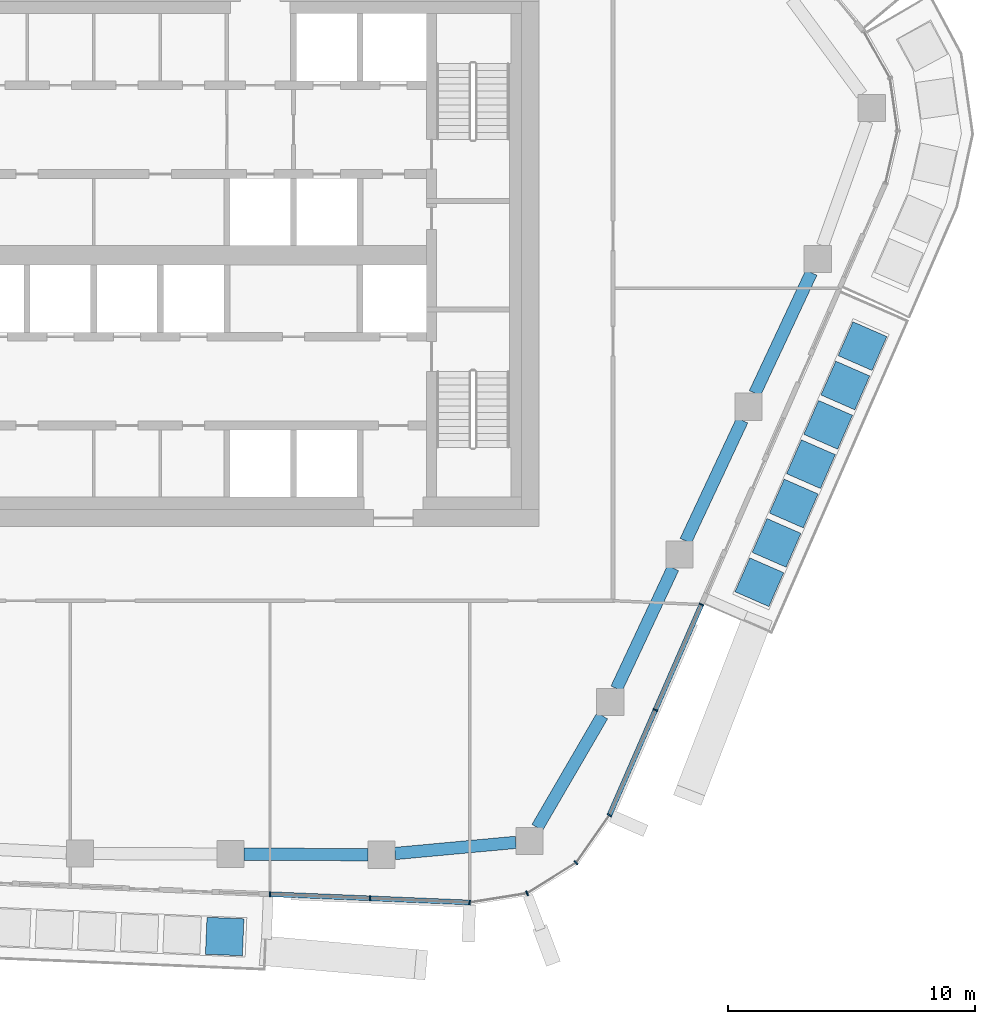
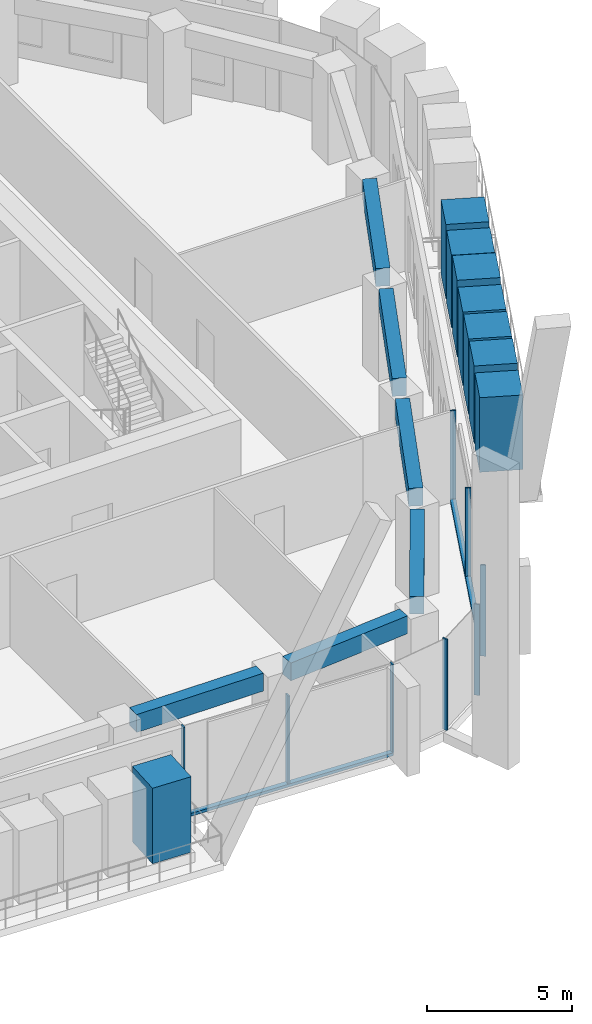
# One storey, part 4 of 20: 18 members, 6 beams, 3 elements without a shape of their own.
"""IFC4 building model written with IfcOpenShell, lengths in metres."""

from ifc_helpers import new_model, si_unit, direction, frame, origin, origin_2d, place, context, subcontext, project, spatial, rectangle, extrude, material, layer, layer_set, material_profile, profile_set, type_object, element, aggregate, save


model = new_model("IFC4")

# Units and contexts
model_context = context("Model", 3, precision=1e-05, world=origin(), true_north=direction((0.0, 1.0)))
body_context = subcontext(model_context, "Body", "Model", "MODEL_VIEW")
ifc_project = project(units=[si_unit("LENGTHUNIT", "METRE"), si_unit("AREAUNIT", "SQUARE_METRE"), si_unit("VOLUMEUNIT", "CUBIC_METRE"), si_unit("PLANEANGLEUNIT", "RADIAN"), si_unit("MASSUNIT", "GRAM", prefix="KILO")], contexts=[model_context])

# Site, building, storey
site_placement = place(None, origin())
site = spatial("IfcSite", under=ifc_project, at=site_placement, CompositionType="ELEMENT")
building_placement = place(site_placement, origin())
building = spatial("IfcBuilding", under=site, at=building_placement, Name="Dongbaek Canopy Tower", CompositionType="ELEMENT")
storey_placement = place(building_placement, frame((0.0, 0.0, 241.199951171875)))
storey = spatial("IfcBuildingStorey", under=building, at=storey_placement, Name="L50", CompositionType="ELEMENT", Elevation=241.199951171875)

# Curtain wall, members
ifc_material_1 = material(Name="Aluminium 6063-T6 pale anodised", Category="aluminium")
ifc_layer = layer(ifc_material_1, 0.199951171875)
ifc_layer_set = layer_set([ifc_layer], Name="CW-1 unitised tower curtain wall")
curtain_wall_type = type_object("IfcCurtainWallType", Name="CW-1 unitised tower curtain wall", PredefinedType="NOTDEFINED", material=ifc_layer_set)
curtain_wall_1_placement = place(storey_placement, origin())
curtain_wall_1 = element("IfcCurtainWall", 1, at=curtain_wall_1_placement, inside=storey, type_object=curtain_wall_type, Name="CW-1 curtain wall F4.1", PredefinedType="NOTDEFINED")
ifc_material_2 = material(Name="Aluminium 6063-T6 pale anodised", Category="aluminium")
ifc_material_profile_1 = material_profile(ifc_material_2, rectangle(XDim=0.199951171875, YDim=0.06005859375, at=origin_2d()), Name="CW-1 mullion 60 x 200")
ifc_profile_set_1 = profile_set([ifc_material_profile_1], Name="Aluminium 6063-T6 pale anodised")
member_type_1 = type_object("IfcMemberType", Name="CW-1 mullion 60 x 200", PredefinedType="MULLION", material=ifc_profile_set_1)
member_1_placement = place(storey_placement, frame((3.097900390625, -25.899169921875, 0.1201171875), z_axis=(0.0, 0.0, 1.0), x_axis=(-0.041481315027, -0.999139279832, 0.0)))
member_1 = element("IfcMember", 2, at=member_1_placement, type_object=member_type_1, Name="CW-1 mullion F4.1.1", PredefinedType="MULLION", context=body_context, shape_type="SweptSolid", body=[
    extrude(rectangle(XDim=0.199951171875, YDim=0.06005859375, at=origin_2d()), origin(), (0.0, 0.0, 1.0), 3.699951171875),
])
member_2_placement = place(storey_placement, frame((7.151123046875, -26.0673828125, 0.1201171875), z_axis=(0.0, 0.0, 1.0), x_axis=(-0.041481315027, -0.999139279832, 0.0)))
member_2 = element("IfcMember", 3, at=member_2_placement, type_object=member_type_1, Name="CW-1 mullion F4.1.2", PredefinedType="MULLION", context=body_context, shape_type="SweptSolid", body=[
    extrude(rectangle(XDim=0.199951171875, YDim=0.06005859375, at=origin_2d()), origin(), (0.0, 0.0, 1.0), 3.699951171875),
])
member_3_placement = place(storey_placement, frame((11.194091796875, -26.2353515625, 0.1201171875), z_axis=(0.0, 0.0, 1.0), x_axis=(-0.041481315027, -0.999139279832, 0.0)))
member_3 = element("IfcMember", 4, at=member_3_placement, type_object=member_type_1, Name="CW-1 mullion F4.1.3", PredefinedType="MULLION", context=body_context, shape_type="SweptSolid", body=[
    extrude(rectangle(XDim=0.199951171875, YDim=0.06005859375, at=origin_2d()), origin(), (0.0, 0.0, 1.0), 3.699951171875),
])

curtain_wall_2_placement = place(storey_placement, origin())
curtain_wall_2 = element("IfcCurtainWall", 5, at=curtain_wall_2_placement, inside=storey, type_object=curtain_wall_type, Name="CW-1 curtain wall K5.1", PredefinedType="NOTDEFINED")
member_4_placement = place(storey_placement, frame((13.51904296875, -25.863525390625, 0.0), z_axis=(0.0, 0.0, 1.0), x_axis=(0.351016909849, -0.936369120059, 0.0)))
member_4 = element("IfcMember", 6, at=member_4_placement, type_object=member_type_1, Name="CW-1 mullion K5.1.2", PredefinedType="MULLION", context=body_context, shape_type="SweptSolid", body=[
    extrude(rectangle(XDim=0.199951171875, YDim=0.06005859375, at=origin_2d()), origin(), (0.0, 0.0, 1.0), 3.820068359375),
])
member_5_placement = place(storey_placement, frame((15.507080078125, -24.62060546875, 0.0), z_axis=(0.0, 0.0, 1.0), x_axis=(0.688056235783, -0.72565736846, 0.0)))
member_5 = element("IfcMember", 7, at=member_5_placement, type_object=member_type_1, Name="CW-1 mullion K5.1.3", PredefinedType="MULLION", context=body_context, shape_type="SweptSolid", body=[
    extrude(rectangle(XDim=0.199951171875, YDim=0.06005859375, at=origin_2d()), origin(), (0.0, 0.0, 1.0), 3.820068359375),
])
member_6_placement = place(storey_placement, frame((16.859619140625, -22.693359375, 0.0), z_axis=(0.0, 0.0, 1.0), x_axis=(0.818549902753, -0.574435424311, 0.0)))
member_6 = element("IfcMember", 8, at=member_6_placement, type_object=member_type_1, Name="CW-1 mullion K5.1.4", PredefinedType="MULLION", context=body_context, shape_type="SweptSolid", body=[
    extrude(rectangle(XDim=0.199951171875, YDim=0.06005859375, at=origin_2d()), origin(), (0.0, 0.0, 1.0), 3.820068359375),
])
aggregate(curtain_wall_2, [member_4, member_5, member_6])

curtain_wall_3_placement = place(storey_placement, origin())
curtain_wall_3 = element("IfcCurtainWall", 9, at=curtain_wall_3_placement, inside=storey, type_object=curtain_wall_type, Name="CW-1 curtain wall F5.1", PredefinedType="NOTDEFINED")
member_7_placement = place(storey_placement, frame((18.721923828125, -18.43017578125, 0.1201171875), z_axis=(0.0, 0.0, 1.0), x_axis=(0.9163861515, -0.400295417584, 0.0)))
member_7 = element("IfcMember", 10, at=member_7_placement, type_object=member_type_1, Name="CW-1 mullion F5.1.2", PredefinedType="MULLION", context=body_context, shape_type="SweptSolid", body=[
    extrude(rectangle(XDim=0.199951171875, YDim=0.06005859375, at=origin_2d()), origin(), (0.0, 0.0, 1.0), 3.699951171875),
])
member_8_placement = place(storey_placement, frame((20.588134765625, -14.15771484375, 0.1201171875), z_axis=(0.0, 0.0, 1.0), x_axis=(0.9163861515, -0.400295417584, 0.0)))
member_8 = element("IfcMember", 11, at=member_8_placement, type_object=member_type_1, Name="CW-1 mullion F5.1.3", PredefinedType="MULLION", context=body_context, shape_type="SweptSolid", body=[
    extrude(rectangle(XDim=0.199951171875, YDim=0.06005859375, at=origin_2d()), origin(), (0.0, 0.0, 1.0), 3.699951171875),
])

# Member
ifc_material_3 = material(Name="Aluminium 6063-T6 pale anodised", Category="aluminium")
ifc_material_profile_2 = material_profile(ifc_material_3, rectangle(XDim=0.199951171875, YDim=0.1201171875, at=origin_2d()), Name="CW-1 transom 120 x 200")
ifc_profile_set_2 = profile_set([ifc_material_profile_2], Name="Aluminium 6063-T6 pale anodised")
member_type_2 = type_object("IfcMemberType", Name="CW-1 transom 120 x 200", PredefinedType="USERDEFINED", material=ifc_profile_set_2)
member_9_placement = place(storey_placement, frame((3.097900390625, -25.899169921875, 0.06005859375), z_axis=(0.999139015582, -0.041487679406, 0.0), x_axis=(0.041487679406, 0.999139015582, 0.0)))
member_9 = element("IfcMember", 12, at=member_9_placement, type_object=member_type_2, Name="CW-1 transom F4.1.1", ObjectType="TRANSOM", PredefinedType="USERDEFINED", context=body_context, shape_type="SweptSolid", body=[
    extrude(rectangle(XDim=0.199951171875, YDim=0.1201171875, at=origin_2d()), origin(), (0.0, 0.0, 1.0), 8.103271484375),
])

aggregate(curtain_wall_1, [member_1, member_2, member_3, member_9])

member_10_placement = place(storey_placement, frame((16.859619140625, -22.693359375, 0.06005859375), z_axis=(0.400293518041, 0.916386981256, 0.0), x_axis=(-0.916386981256, 0.400293518041, 0.0)))
member_10 = element("IfcMember", 13, at=member_10_placement, type_object=member_type_2, Name="CW-1 transom F5.1.1", ObjectType="TRANSOM", PredefinedType="USERDEFINED", context=body_context, shape_type="SweptSolid", body=[
    extrude(rectangle(XDim=0.199951171875, YDim=0.1201171875, at=origin_2d()), origin(), (0.0, 0.0, 1.0), 9.314453125),
])

aggregate(curtain_wall_3, [member_7, member_8, member_10])

# Beams
ifc_material_4 = material(Name="Concrete C70", Category="concrete")
ifc_material_profile_3 = material_profile(ifc_material_4, rectangle(XDim=0.5, YDim=0.75, at=origin_2d()), Name="RC EDGE BEAM 500x750 C70")
ifc_profile_set_3 = profile_set([ifc_material_profile_3], Name="Concrete C70")
beam_type = type_object("IfcBeamType", Name="RC EDGE BEAM 500x750 C70", PredefinedType="BEAM", material=ifc_profile_set_3)
beam_1_placement = place(storey_placement, frame((13.06201171875, -23.796875, 3.445068359375), z_axis=(-0.995758214652, -0.092008575434, 0.0), x_axis=(0.092008575434, -0.995758214652, 0.0)))
element("IfcBeam", 14, at=beam_1_placement, inside=storey, type_object=beam_type, Name="EDGEBEAM:L50:00", PredefinedType="BEAM", context=body_context, shape_type="SweptSolid", body=[
    extrude(rectangle(XDim=0.5, YDim=0.75, at=origin_2d()), origin(), (0.0, 0.0, 1.0), 4.916748046875),
])
beam_2_placement = place(storey_placement, frame((7.06591796875, -24.297607421875, 3.445068359375), z_axis=(-0.999989301171, 0.004625747851, 0.0), x_axis=(-0.004625747851, -0.999989301171, 0.0)))
element("IfcBeam", 15, at=beam_2_placement, inside=storey, type_object=beam_type, Name="EDGEBEAM:L50:01", PredefinedType="BEAM", context=body_context, shape_type="SweptSolid", body=[
    extrude(rectangle(XDim=0.5, YDim=0.75, at=origin_2d()), origin(), (0.0, 0.0, 1.0), 5.013916015625),
])
beam_3_placement = place(storey_placement, frame((25.04443359375, -0.701904296875, 3.445068359375), z_axis=(-0.423972479832, -0.905675072167, 0.0), x_axis=(0.905675072167, -0.423972479832, 0.0)))
element("IfcBeam", 16, at=beam_3_placement, inside=storey, type_object=beam_type, Name="EDGEBEAM:L50:22", PredefinedType="BEAM", context=body_context, shape_type="SweptSolid", body=[
    extrude(rectangle(XDim=0.5, YDim=0.75, at=origin_2d()), origin(), (0.0, 0.0, 1.0), 5.396240234375),
])
beam_4_placement = place(storey_placement, frame((22.241455078125, -6.68896484375, 3.445068359375), z_axis=(-0.424105880993, -0.905612611279, 0.0), x_axis=(0.905612611279, -0.424105880993, 0.0)))
element("IfcBeam", 17, at=beam_4_placement, inside=storey, type_object=beam_type, Name="EDGEBEAM:L50:23", PredefinedType="BEAM", context=body_context, shape_type="SweptSolid", body=[
    extrude(rectangle(XDim=0.5, YDim=0.75, at=origin_2d()), origin(), (0.0, 0.0, 1.0), 5.3974609375),
])
beam_5_placement = place(storey_placement, frame((19.437255859375, -12.677001953125, 3.445068359375), z_axis=(-0.424249579949, -0.905545301966, 0.0), x_axis=(0.905545301966, -0.424249579949, 0.0)))
element("IfcBeam", 18, at=beam_5_placement, inside=storey, type_object=beam_type, Name="EDGEBEAM:L50:24", PredefinedType="BEAM", context=body_context, shape_type="SweptSolid", body=[
    extrude(rectangle(XDim=0.5, YDim=0.75, at=origin_2d()), origin(), (0.0, 0.0, 1.0), 5.396728515625),
])
beam_6_placement = place(storey_placement, frame((16.56982421875, -18.6640625, 3.445068359375), z_axis=(-0.503022590015, -0.864273263462, 0.0), x_axis=(0.864273263462, -0.503022590015, 0.0)))
element("IfcBeam", 19, at=beam_6_placement, inside=storey, type_object=beam_type, Name="EDGEBEAM:L50:25", PredefinedType="BEAM", context=body_context, shape_type="SweptSolid", body=[
    extrude(rectangle(XDim=0.5, YDim=0.75, at=origin_2d()), origin(), (0.0, 0.0, 1.0), 5.24365234375),
])

# Members
ifc_material_5 = material(Name="Concrete C40/50 planter mass with planting", Category="concrete")
ifc_material_profile_4 = material_profile(ifc_material_5, rectangle(XDim=1.5, YDim=1.5, at=origin_2d()), Name="Terrace PLANTER shrub mass 1500 x 1500")
ifc_profile_set_4 = profile_set([ifc_material_profile_4], Name="Concrete C40/50 planter mass with planting")
member_type_3 = type_object("IfcMemberType", Name="Terrace PLANTER shrub mass 1500 x 1500", PredefinedType="USERDEFINED", material=ifc_profile_set_4)
member_11_placement = place(storey_placement, frame((1.260986328125, -27.614501953125, 0.420166015625), z_axis=(0.0, 0.0, 1.0), x_axis=(-0.041481315027, -0.999139279832, 0.0)))
element("IfcMember", 20, at=member_11_placement, inside=storey, type_object=member_type_3, Name="Planter shrubs L50 4.6", ObjectType="PLANTER", PredefinedType="USERDEFINED", context=body_context, shape_type="SweptSolid", body=[
    extrude(rectangle(XDim=1.5, YDim=1.5, at=origin_2d()), origin(), (0.0, 0.0, 1.0), 3.169921875),
])
member_12_placement = place(storey_placement, frame((22.93701171875, -13.251953125, 0.420166015625), z_axis=(0.0, 0.0, 1.0), x_axis=(0.9163861515, -0.400295417584, 0.0)))
element("IfcMember", 21, at=member_12_placement, inside=storey, type_object=member_type_3, Name="Planter shrubs L50 5.1", ObjectType="PLANTER", PredefinedType="USERDEFINED", context=body_context, shape_type="SweptSolid", body=[
    extrude(rectangle(XDim=1.5, YDim=1.5, at=origin_2d()), origin(), (0.0, 0.0, 1.0), 3.1298828125),
])
member_13_placement = place(storey_placement, frame((23.634033203125, -11.656494140625, 0.420166015625), z_axis=(0.0, 0.0, 1.0), x_axis=(0.9163861515, -0.400295417584, 0.0)))
element("IfcMember", 22, at=member_13_placement, inside=storey, type_object=member_type_3, Name="Planter shrubs L50 5.2", ObjectType="PLANTER", PredefinedType="USERDEFINED", context=body_context, shape_type="SweptSolid", body=[
    extrude(rectangle(XDim=1.5, YDim=1.5, at=origin_2d()), origin(), (0.0, 0.0, 1.0), 3.25),
])
member_14_placement = place(storey_placement, frame((24.330810546875, -10.06103515625, 0.420166015625), z_axis=(0.0, 0.0, 1.0), x_axis=(0.9163861515, -0.400295417584, 0.0)))
element("IfcMember", 23, at=member_14_placement, inside=storey, type_object=member_type_3, Name="Planter shrubs L50 5.3", ObjectType="PLANTER", PredefinedType="USERDEFINED", context=body_context, shape_type="SweptSolid", body=[
    extrude(rectangle(XDim=1.5, YDim=1.5, at=origin_2d()), origin(), (0.0, 0.0, 1.0), 3.169921875),
])
member_15_placement = place(storey_placement, frame((25.02783203125, -8.4658203125, 0.420166015625), z_axis=(0.0, 0.0, 1.0), x_axis=(0.9163861515, -0.400295417584, 0.0)))
element("IfcMember", 24, at=member_15_placement, inside=storey, type_object=member_type_3, Name="Planter shrubs L50 5.4", ObjectType="PLANTER", PredefinedType="USERDEFINED", context=body_context, shape_type="SweptSolid", body=[
    extrude(rectangle(XDim=1.5, YDim=1.5, at=origin_2d()), origin(), (0.0, 0.0, 1.0), 3.08984375),
])
member_16_placement = place(storey_placement, frame((25.724609375, -6.870361328125, 0.420166015625), z_axis=(0.0, 0.0, 1.0), x_axis=(0.9163861515, -0.400295417584, 0.0)))
element("IfcMember", 25, at=member_16_placement, inside=storey, type_object=member_type_3, Name="Planter shrubs L50 5.5", ObjectType="PLANTER", PredefinedType="USERDEFINED", context=body_context, shape_type="SweptSolid", body=[
    extrude(rectangle(XDim=1.5, YDim=1.5, at=origin_2d()), origin(), (0.0, 0.0, 1.0), 3.2099609375),
])
member_17_placement = place(storey_placement, frame((26.421630859375, -5.27490234375, 0.420166015625), z_axis=(0.0, 0.0, 1.0), x_axis=(0.9163861515, -0.400295417584, 0.0)))
element("IfcMember", 26, at=member_17_placement, inside=storey, type_object=member_type_3, Name="Planter shrubs L50 5.6", ObjectType="PLANTER", PredefinedType="USERDEFINED", context=body_context, shape_type="SweptSolid", body=[
    extrude(rectangle(XDim=1.5, YDim=1.5, at=origin_2d()), origin(), (0.0, 0.0, 1.0), 3.0498046875),
])
member_18_placement = place(storey_placement, frame((27.118408203125, -3.679443359375, 0.420166015625), z_axis=(0.0, 0.0, 1.0), x_axis=(0.9163861515, -0.400295417584, 0.0)))
element("IfcMember", 27, at=member_18_placement, inside=storey, type_object=member_type_3, Name="Planter shrubs L50 5.7", ObjectType="PLANTER", PredefinedType="USERDEFINED", context=body_context, shape_type="SweptSolid", body=[
    extrude(rectangle(XDim=1.5, YDim=1.5, at=origin_2d()), origin(), (0.0, 0.0, 1.0), 3.1298828125),
])

save(model, "model.ifc")
